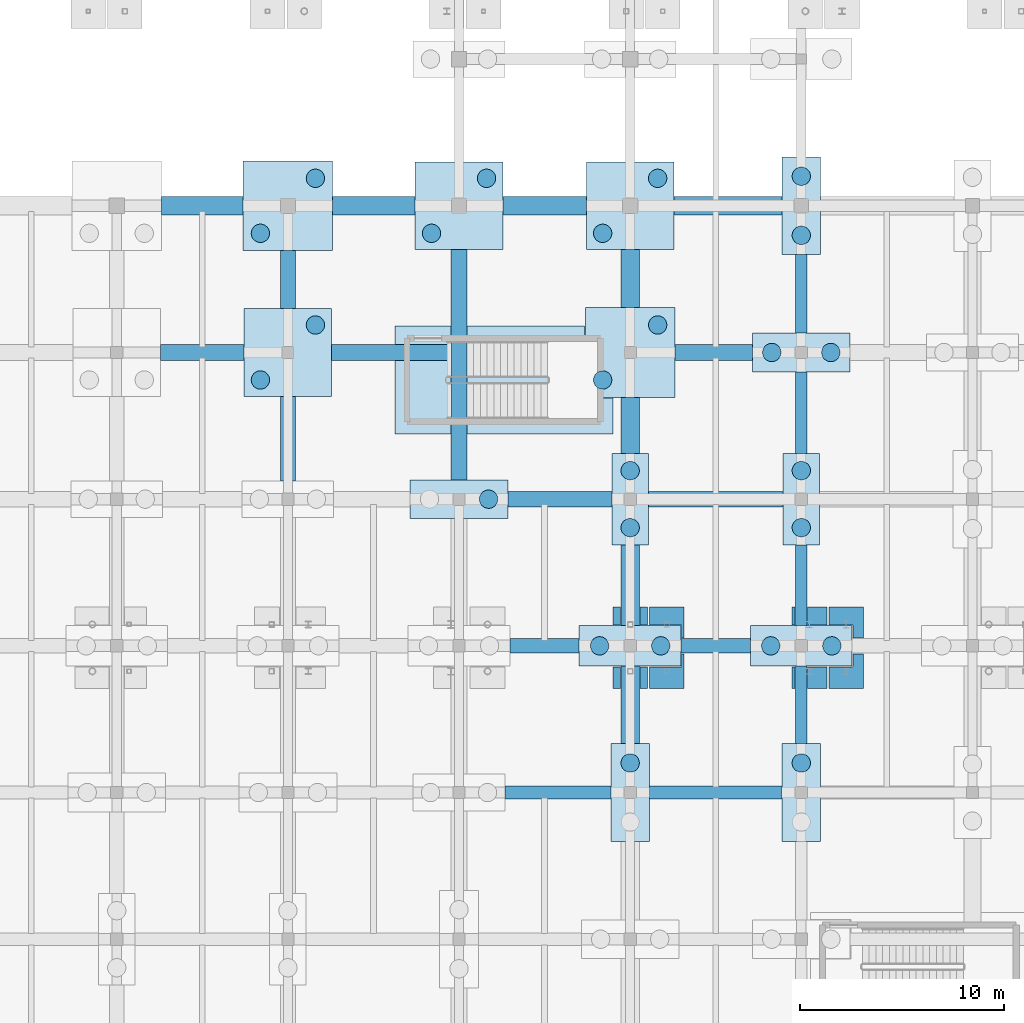
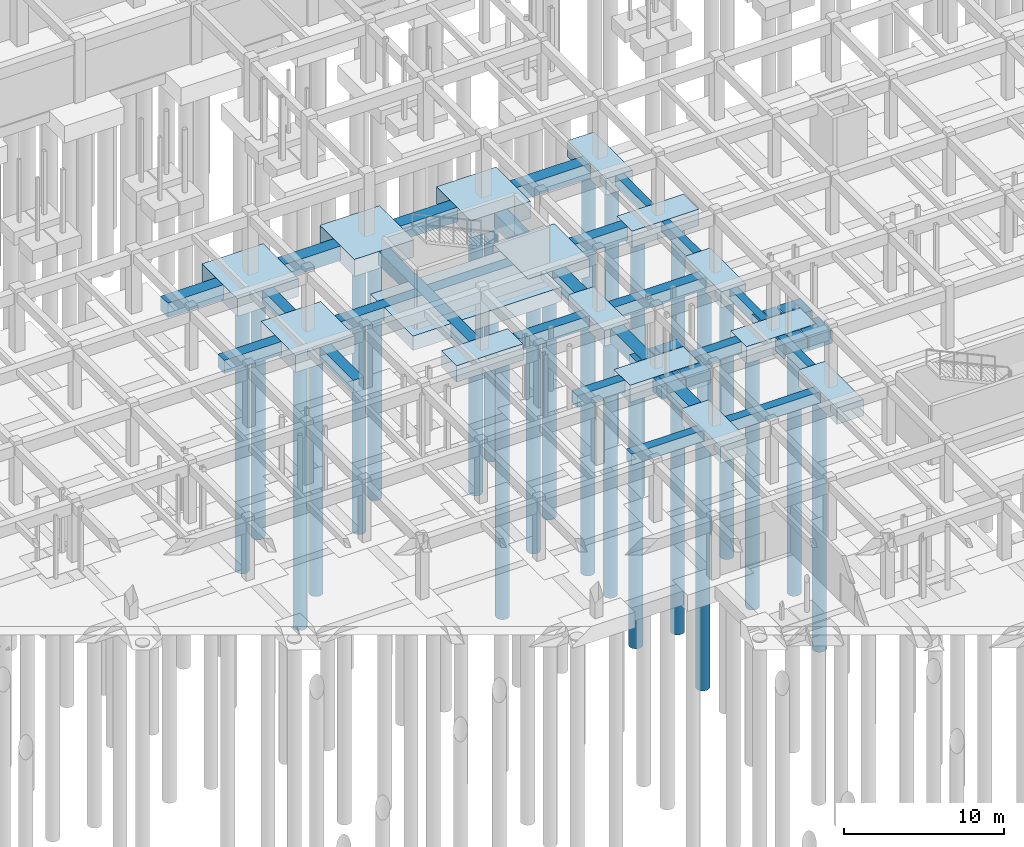
# One storey, part 9 of 80: 51 footings, 25 piles.
"""IFC4 building model written with IfcOpenShell, lengths in metres."""

from ifc_helpers import new_model, si_unit, direction, frame, origin, origin_2d, place, context, subcontext, project, spatial, polyline, rectangle, circle, outline, extrude, material, material_profile, profile_set, type_object, element, save


model = new_model("IFC4")

# Units and contexts
model_context = context("Model", 3, precision=1e-05, world=origin(), true_north=direction((0.0, 1.0)))
body_context = subcontext(model_context, "Body", "Model", "MODEL_VIEW")
ifc_project = project(units=[si_unit("LENGTHUNIT", "METRE"), si_unit("AREAUNIT", "SQUARE_METRE"), si_unit("VOLUMEUNIT", "CUBIC_METRE"), si_unit("PLANEANGLEUNIT", "RADIAN"), si_unit("MASSUNIT", "GRAM", prefix="KILO")], contexts=[model_context])

# Site, building, storey
site_placement = place(None, origin())
site = spatial("IfcSite", under=ifc_project, at=site_placement, CompositionType="ELEMENT")
building_placement = place(site_placement, origin())
building = spatial("IfcBuilding", under=site, at=building_placement, Name="Malvenik Polytechnic", CompositionType="ELEMENT")
storey_placement = place(building_placement, frame((0.0, 0.0, -4.800048828125)))
storey = spatial("IfcBuildingStorey", under=building, at=storey_placement, Name="B1", CompositionType="ELEMENT", Elevation=-4.800048828125)

# Footings
ifc_material = material(Name="Concrete C35/45", Category="concrete")
footing_type_1 = type_object("IfcFootingType", Name="STR-PC-1900x4800x1250", PredefinedType="PILE_CAP", material=ifc_material)
for number, where, z_axis, x_axis, name in (
    (1, (75.60009765625, 79.199951171875, -1.25), (0.0, 0.0, 1.0), (1.0, 0.0, 0.0), "Pile Cap PC-13 #114"),
    (2, (92.39990234375, 86.39990234375, -1.25), (0.0, 0.0, 1.0), (1.0, 0.0, 0.0), "Pile Cap PC-13 #146"),
):
    element("IfcFooting", number, at=place(storey_placement, frame(where, z_axis=z_axis, x_axis=x_axis)), inside=storey, type_object=footing_type_1, Name=name, PredefinedType="PILE_CAP", context=body_context, shape_type="SweptSolid", body=[
        extrude(rectangle(XDim=4.800048828125, YDim=1.89990234375, at=origin_2d()), origin(), (0.0, 0.0, 1.0), 1.25),
    ])
footing_type_2 = type_object("IfcFootingType", Name="STR-PC-2000x5000x1300", PredefinedType="PILE_CAP", material=ifc_material)
for number, where, z_axis, x_axis, name in (
    (3, (84.0, 72.0, -1.2998046875), (0.0, 0.0, 1.0), (1.0, 0.0, 0.0), "Pile Cap PC-03 #128"),
    (4, (92.39990234375, 72.0, -1.2998046875), (0.0, 0.0, 1.0), (1.0, 0.0, 0.0), "Pile Cap PC-03 #144"),
):
    element("IfcFooting", number, at=place(storey_placement, frame(where, z_axis=z_axis, x_axis=x_axis)), inside=storey, type_object=footing_type_2, Name=name, PredefinedType="PILE_CAP", context=body_context, shape_type="SweptSolid", body=[
        extrude(rectangle(XDim=5.0, YDim=2.0, at=origin_2d()), origin(), (0.0, 0.0, 1.0), 1.300048828125),
    ])
footing_type_3 = type_object("IfcFootingType", Name="STR-PC-4500x1800x1200", PredefinedType="PILE_CAP", material=ifc_material)
for number, where, z_axis, x_axis, name in (
    (5, (84.0, 79.199951171875, -1.19970703125), (0.0, 0.0, 1.0), (1.0, 0.0, 0.0), "Pile Cap PC-02 #129"),
    (6, (92.39990234375, 79.199951171875, -1.19970703125), (0.0, 0.0, 1.0), (1.0, 0.0, 0.0), "Pile Cap PC-02 #145"),
):
    element("IfcFooting", number, at=place(storey_placement, frame(where, z_axis=z_axis, x_axis=x_axis)), inside=storey, type_object=footing_type_3, Name=name, PredefinedType="PILE_CAP", context=body_context, shape_type="SweptSolid", body=[
        extrude(rectangle(XDim=1.800048828125, YDim=4.5, at=origin_2d()), origin(), (0.0, 0.0, 1.0), 1.199951171875),
    ])
footing_type_4 = type_object("IfcFootingType", Name="STR-PC-4800x1900x1250", PredefinedType="PILE_CAP", material=ifc_material)
for number, where, z_axis, x_axis, name in (
    (7, (84.0, 64.800048828125, -1.25), (0.0, 0.0, 1.0), (1.0, 0.0, 0.0), "Pile Cap PC-14 #127"),
    (8, (92.39990234375, 64.800048828125, -1.25), (0.0, 0.0, 1.0), (1.0, 0.0, 0.0), "Pile Cap PC-14 #143"),
    (9, (92.39990234375, 93.60009765625, -1.25), (0.0, 0.0, 1.0), (1.0, 0.0, 0.0), "Pile Cap PC-14 #147"),
):
    element("IfcFooting", number, at=place(storey_placement, frame(where, z_axis=z_axis, x_axis=x_axis)), inside=storey, type_object=footing_type_4, Name=name, PredefinedType="PILE_CAP", context=body_context, shape_type="SweptSolid", body=[
        extrude(rectangle(XDim=1.89990234375, YDim=4.800048828125, at=origin_2d()), origin(), (0.0, 0.0, 1.0), 1.25),
    ])
footing_type_5 = type_object("IfcFootingType", Name="STR-PC-COMB-27", PredefinedType="PILE_CAP", material=ifc_material)
footing_1_placement = place(storey_placement, frame((67.199951171875, 86.39990234375, -1.2998046875), z_axis=(0.0, 0.0, 1.0), x_axis=(1.0, 0.0, 0.0)))
element("IfcFooting", 10, at=footing_1_placement, inside=storey, type_object=footing_type_5, Name="Pile Cap PCC-27 #101", PredefinedType="PILE_CAP", context=body_context, shape_type="SweptSolid", body=[
    extrude(rectangle(XDim=4.300048828125, YDim=4.300048828125, at=origin_2d()), origin(), (0.0, 0.0, 1.0), 1.300048828125),
])
footing_type_6 = type_object("IfcFootingType", Name="STR-PC-COMB-28", PredefinedType="PILE_CAP", material=ifc_material)
footing_2_placement = place(storey_placement, frame((67.199951171875, 93.60009765625, -1.35009765625), z_axis=(0.0, 0.0, 1.0), x_axis=(1.0, 0.0, 0.0)))
element("IfcFooting", 11, at=footing_2_placement, inside=storey, type_object=footing_type_6, Name="Pile Cap PCC-28 #102", PredefinedType="PILE_CAP", context=body_context, shape_type="SweptSolid", body=[
    extrude(rectangle(XDim=4.39990234375, YDim=4.39990234375, at=origin_2d()), origin(), (0.0, 0.0, 1.0), 1.35009765625),
])
footing_type_7 = type_object("IfcFootingType", Name="STR-PC-COMB-30", PredefinedType="PILE_CAP", material=ifc_material)
footing_3_placement = place(storey_placement, frame((75.60009765625, 93.60009765625, -1.2998046875), z_axis=(0.0, 0.0, 1.0), x_axis=(1.0, 0.0, 0.0)))
element("IfcFooting", 12, at=footing_3_placement, inside=storey, type_object=footing_type_7, Name="Pile Cap PCC-30 #115", PredefinedType="PILE_CAP", context=body_context, shape_type="SweptSolid", body=[
    extrude(rectangle(XDim=4.300048828125, YDim=4.300048828125, at=origin_2d()), origin(), (0.0, 0.0, 1.0), 1.300048828125),
])
footing_type_8 = type_object("IfcFootingType", Name="STR-PC-COMB-32", PredefinedType="PILE_CAP", material=ifc_material)
footing_4_placement = place(storey_placement, frame((84.0, 86.39990234375, -1.35009765625), z_axis=(0.0, 0.0, 1.0), x_axis=(1.0, 0.0, 0.0)))
element("IfcFooting", 13, at=footing_4_placement, inside=storey, type_object=footing_type_8, Name="Pile Cap PCC-32 #130", PredefinedType="PILE_CAP", context=body_context, shape_type="SweptSolid", body=[
    extrude(rectangle(XDim=4.39990234375, YDim=4.39990234375, at=origin_2d()), origin(), (0.0, 0.0, 1.0), 1.35009765625),
])
footing_type_9 = type_object("IfcFootingType", Name="STR-PC-COMB-33", PredefinedType="PILE_CAP", material=ifc_material)
footing_5_placement = place(storey_placement, frame((84.0, 93.60009765625, -1.2998046875), z_axis=(0.0, 0.0, 1.0), x_axis=(1.0, 0.0, 0.0)))
element("IfcFooting", 14, at=footing_5_placement, inside=storey, type_object=footing_type_9, Name="Pile Cap PCC-33 #131", PredefinedType="PILE_CAP", context=body_context, shape_type="SweptSolid", body=[
    extrude(rectangle(XDim=4.300048828125, YDim=4.300048828125, at=origin_2d()), origin(), (0.0, 0.0, 1.0), 1.300048828125),
])

# Piles
ifc_material_profile_1 = material_profile(ifc_material, circle(Radius=0.449951171875, at=origin_2d()), Name="BORED PILE D900")
ifc_profile_set_1 = profile_set([ifc_material_profile_1], Name="Concrete C35/45")
pile_type_1 = type_object("IfcPileType", Name="STR-PL-D900-195", PredefinedType="BORED", material=ifc_profile_set_1)
for number, where, z_axis, x_axis, name in (
    (15, (82.5, 72.0, -1.199951171875), (0.0, 0.0, -1.0), (1.0, 0.0, 0.0), "Bored Pile PL-01 #295"),
    (16, (85.5, 72.0, -1.199951171875), (0.0, 0.0, -1.0), (1.0, 0.0, 0.0), "Bored Pile PL-01 #296"),
    (17, (90.89990234375, 72.0, -1.199951171875), (0.0, 0.0, -1.0), (1.0, 0.0, 0.0), "Bored Pile PL-01 #327"),
    (18, (93.89990234375, 72.0, -1.199951171875), (0.0, 0.0, -1.0), (1.0, 0.0, 0.0), "Bored Pile PL-01 #328"),
):
    element("IfcPile", number, at=place(storey_placement, frame(where, z_axis=z_axis, x_axis=x_axis)), inside=storey, type_object=pile_type_1, Name=name, PredefinedType="BORED", context=body_context, shape_type="SweptSolid", body=[
        extrude(circle(Radius=0.449951171875, at=origin_2d()), origin(), (0.0, 0.0, 1.0), 19.5),
    ])
ifc_material_profile_2 = material_profile(ifc_material, circle(Radius=0.449951171875, at=origin_2d()), Name="BORED PILE D900")
ifc_profile_set_2 = profile_set([ifc_material_profile_2], Name="Concrete C35/45")
pile_type_2 = type_object("IfcPileType", Name="STR-PL-D900-198", PredefinedType="BORED", material=ifc_profile_set_2)
for number, where, z_axis, x_axis, name in (
    (19, (77.050048828125, 79.199951171875, -1.14990234375), (0.0, 0.0, -1.0), (1.0, 0.0, 0.0), "Bored Pile PL-02 #264"),
    (20, (84.0, 66.25, -1.14990234375), (0.0, 0.0, -1.0), (1.0, 0.0, 0.0), "Bored Pile PL-02 #294"),
    (21, (84.0, 77.800048828125, -1.099853515625), (0.0, 0.0, -1.0), (1.0, 0.0, 0.0), "Bored Pile PL-02 #297"),
    (22, (84.0, 80.60009765625, -1.099853515625), (0.0, 0.0, -1.0), (1.0, 0.0, 0.0), "Bored Pile PL-02 #298"),
    (23, (92.39990234375, 66.25, -1.14990234375), (0.0, 0.0, -1.0), (1.0, 0.0, 0.0), "Bored Pile PL-02 #326"),
    (24, (92.39990234375, 77.800048828125, -1.099853515625), (0.0, 0.0, -1.0), (1.0, 0.0, 0.0), "Bored Pile PL-02 #329"),
    (25, (92.39990234375, 80.60009765625, -1.099853515625), (0.0, 0.0, -1.0), (1.0, 0.0, 0.0), "Bored Pile PL-02 #330"),
    (26, (90.949951171875, 86.39990234375, -1.14990234375), (0.0, 0.0, -1.0), (1.0, 0.0, 0.0), "Bored Pile PL-02 #331"),
    (27, (93.85009765625, 86.39990234375, -1.14990234375), (0.0, 0.0, -1.0), (1.0, 0.0, 0.0), "Bored Pile PL-02 #332"),
    (28, (92.39990234375, 92.14990234375, -1.14990234375), (0.0, 0.0, -1.0), (1.0, 0.0, 0.0), "Bored Pile PL-02 #333"),
    (29, (92.39990234375, 95.050048828125, -1.14990234375), (0.0, 0.0, -1.0), (1.0, 0.0, 0.0), "Bored Pile PL-02 #334"),
):
    element("IfcPile", number, at=place(storey_placement, frame(where, z_axis=z_axis, x_axis=x_axis)), inside=storey, type_object=pile_type_2, Name=name, PredefinedType="BORED", context=body_context, shape_type="SweptSolid", body=[
        extrude(circle(Radius=0.449951171875, at=origin_2d()), origin(), (0.0, 0.0, 1.0), 19.800048828125),
    ])
ifc_material_profile_3 = material_profile(ifc_material, circle(Radius=0.449951171875, at=origin_2d()), Name="BORED PILE D900")
ifc_profile_set_3 = profile_set([ifc_material_profile_3], Name="Concrete C35/45")
pile_type_3 = type_object("IfcPileType", Name="STR-PL-D900-202", PredefinedType="BORED", material=ifc_profile_set_3)
for number, where, z_axis, x_axis, name in (
    (30, (65.85009765625, 85.050048828125, -1.199951171875), (0.0, 0.0, -1.0), (1.0, 0.0, 0.0), "Bored Pile PL-03 #233"),
    (31, (68.550048828125, 87.75, -1.199951171875), (0.0, 0.0, -1.0), (1.0, 0.0, 0.0), "Bored Pile PL-03 #234"),
    (32, (65.85009765625, 92.25, -1.25), (0.0, 0.0, -1.0), (1.0, 0.0, 0.0), "Bored Pile PL-03 #235"),
    (33, (68.550048828125, 94.949951171875, -1.25), (0.0, 0.0, -1.0), (1.0, 0.0, 0.0), "Bored Pile PL-03 #236"),
    (34, (74.25, 92.25, -1.199951171875), (0.0, 0.0, -1.0), (1.0, 0.0, 0.0), "Bored Pile PL-03 #265"),
    (35, (76.949951171875, 94.949951171875, -1.199951171875), (0.0, 0.0, -1.0), (1.0, 0.0, 0.0), "Bored Pile PL-03 #266"),
    (36, (82.64990234375, 85.050048828125, -1.25), (0.0, 0.0, -1.0), (1.0, 0.0, 0.0), "Bored Pile PL-03 #299"),
    (37, (85.35009765625, 87.75, -1.25), (0.0, 0.0, -1.0), (1.0, 0.0, 0.0), "Bored Pile PL-03 #300"),
    (38, (82.64990234375, 92.25, -1.199951171875), (0.0, 0.0, -1.0), (1.0, 0.0, 0.0), "Bored Pile PL-03 #301"),
    (39, (85.35009765625, 94.949951171875, -1.199951171875), (0.0, 0.0, -1.0), (1.0, 0.0, 0.0), "Bored Pile PL-03 #302"),
):
    element("IfcPile", number, at=place(storey_placement, frame(where, z_axis=z_axis, x_axis=x_axis)), inside=storey, type_object=pile_type_3, Name=name, PredefinedType="BORED", context=body_context, shape_type="SweptSolid", body=[
        extrude(circle(Radius=0.449951171875, at=origin_2d()), origin(), (0.0, 0.0, 1.0), 20.199951171875),
    ])

# Footings
footing_type_10 = type_object("IfcFootingType", Name="STR-SF-550x750", PredefinedType="STRIP_FOOTING", material=ifc_material)
footing_6_placement = place(storey_placement, frame((0.0, 0.0, -0.75)))
element("IfcFooting", 40, at=footing_6_placement, inside=storey, type_object=footing_type_10, Name="Ground Tie Beam SF-07 #259", PredefinedType="STRIP_FOOTING", context=body_context, shape_type="SweptSolid", body=[
    extrude(outline(polyline([(92.125, 67.199951171875), (92.675048828125, 67.199951171875), (92.675048828125, 71.0), (92.125, 71.0), (92.125, 67.199951171875)])), origin(), (0.0, 0.0, 1.0), 0.75),
])
footing_7_placement = place(storey_placement, frame((0.0, 0.0, -0.75)))
element("IfcFooting", 41, at=footing_7_placement, inside=storey, type_object=footing_type_10, Name="Ground Tie Beam SF-07 #260", PredefinedType="STRIP_FOOTING", context=body_context, shape_type="SweptSolid", body=[
    extrude(outline(polyline([(92.125, 73.0), (92.675048828125, 73.0), (92.675048828125, 76.949951171875), (92.125, 76.949951171875), (92.125, 73.0)])), origin(), (0.0, 0.0, 1.0), 0.75),
])
footing_8_placement = place(storey_placement, frame((0.0, 0.0, -0.75)))
element("IfcFooting", 42, at=footing_8_placement, inside=storey, type_object=footing_type_10, Name="Ground Tie Beam SF-07 #261", PredefinedType="STRIP_FOOTING", context=body_context, shape_type="SweptSolid", body=[
    extrude(outline(polyline([(92.125, 81.449951171875), (92.675048828125, 81.449951171875), (92.675048828125, 85.449951171875), (92.125, 85.449951171875), (92.125, 81.449951171875)])), origin(), (0.0, 0.0, 1.0), 0.75),
])
footing_9_placement = place(storey_placement, frame((0.0, 0.0, -0.75)))
element("IfcFooting", 43, at=footing_9_placement, inside=storey, type_object=footing_type_10, Name="Ground Tie Beam SF-07 #262", PredefinedType="STRIP_FOOTING", context=body_context, shape_type="SweptSolid", body=[
    extrude(outline(polyline([(92.125, 87.35009765625), (92.675048828125, 87.35009765625), (92.675048828125, 91.199951171875), (92.125, 91.199951171875), (92.125, 87.35009765625)])), origin(), (0.0, 0.0, 1.0), 0.75),
])
footing_type_11 = type_object("IfcFootingType", Name="STR-SF-650x850", PredefinedType="STRIP_FOOTING", material=ifc_material)
footing_10_placement = place(storey_placement, frame((0.0, 0.0, -0.849853515625)))
element("IfcFooting", 44, at=footing_10_placement, inside=storey, type_object=footing_type_11, Name="Ground Tie Beam SF-02 #75", PredefinedType="STRIP_FOOTING", context=body_context, shape_type="SweptSolid", body=[
    extrude(outline(polyline([(77.85009765625, 64.47509765625), (83.050048828125, 64.47509765625), (83.050048828125, 65.125), (77.85009765625, 65.125), (77.85009765625, 64.47509765625)])), origin(), (0.0, 0.0, 1.0), 0.849853515625),
])
footing_11_placement = place(storey_placement, frame((0.0, 0.0, -0.849853515625)))
element("IfcFooting", 45, at=footing_11_placement, inside=storey, type_object=footing_type_11, Name="Ground Tie Beam SF-02 #76", PredefinedType="STRIP_FOOTING", context=body_context, shape_type="SweptSolid", body=[
    extrude(outline(polyline([(84.949951171875, 64.47509765625), (91.449951171875, 64.47509765625), (91.449951171875, 65.125), (84.949951171875, 65.125), (84.949951171875, 64.47509765625)])), origin(), (0.0, 0.0, 1.0), 0.849853515625),
])
footing_type_12 = type_object("IfcFootingType", Name="STR-SF-700x900", PredefinedType="STRIP_FOOTING", material=ifc_material)
footing_12_placement = place(storey_placement, frame((0.0, 0.0, -0.89990234375)))
element("IfcFooting", 46, at=footing_12_placement, inside=storey, type_object=footing_type_12, Name="Ground Tie Beam SF-03 #87", PredefinedType="STRIP_FOOTING", context=body_context, shape_type="SweptSolid", body=[
    extrude(outline(polyline([(78.10009765625, 71.64990234375), (81.5, 71.64990234375), (81.5, 72.35009765625), (78.10009765625, 72.35009765625), (78.10009765625, 71.64990234375)])), origin(), (0.0, 0.0, 1.0), 0.89990234375),
])
footing_13_placement = place(storey_placement, frame((0.0, 0.0, -0.89990234375)))
element("IfcFooting", 47, at=footing_13_placement, inside=storey, type_object=footing_type_12, Name="Ground Tie Beam SF-03 #88", PredefinedType="STRIP_FOOTING", context=body_context, shape_type="SweptSolid", body=[
    extrude(outline(polyline([(86.5, 71.64990234375), (89.89990234375, 71.64990234375), (89.89990234375, 72.35009765625), (86.5, 72.35009765625), (86.5, 71.64990234375)])), origin(), (0.0, 0.0, 1.0), 0.89990234375),
])
footing_type_13 = type_object("IfcFootingType", Name="STR-SF-750x950", PredefinedType="STRIP_FOOTING", material=ifc_material)
footing_14_placement = place(storey_placement, frame((0.0, 0.0, -0.949951171875)))
element("IfcFooting", 48, at=footing_14_placement, inside=storey, type_object=footing_type_13, Name="Ground Tie Beam SF-04 #99", PredefinedType="STRIP_FOOTING", context=body_context, shape_type="SweptSolid", body=[
    extrude(outline(polyline([(78.0, 78.824951171875), (83.10009765625, 78.824951171875), (83.10009765625, 79.574951171875), (78.0, 79.574951171875), (78.0, 78.824951171875)])), origin(), (0.0, 0.0, 1.0), 0.949951171875),
])
footing_15_placement = place(storey_placement, frame((0.0, 0.0, -0.949951171875)))
element("IfcFooting", 49, at=footing_15_placement, inside=storey, type_object=footing_type_13, Name="Ground Tie Beam SF-04 #100", PredefinedType="STRIP_FOOTING", context=body_context, shape_type="SweptSolid", body=[
    extrude(outline(polyline([(84.89990234375, 78.824951171875), (91.5, 78.824951171875), (91.5, 79.574951171875), (84.89990234375, 79.574951171875), (84.89990234375, 78.824951171875)])), origin(), (0.0, 0.0, 1.0), 0.949951171875),
])
footing_16_placement = place(storey_placement, frame((0.0, 0.0, -0.949951171875)))
element("IfcFooting", 50, at=footing_16_placement, inside=storey, type_object=footing_type_13, Name="Ground Tie Beam SF-04 #226", PredefinedType="STRIP_FOOTING", context=body_context, shape_type="SweptSolid", body=[
    extrude(outline(polyline([(66.824951171875, 80.10009765625), (67.574951171875, 80.10009765625), (67.574951171875, 84.25), (66.824951171875, 84.25), (66.824951171875, 80.10009765625)])), origin(), (0.0, 0.0, 1.0), 0.949951171875),
])
footing_17_placement = place(storey_placement, frame((0.0, 0.0, -0.949951171875)))
element("IfcFooting", 51, at=footing_17_placement, inside=storey, type_object=footing_type_13, Name="Ground Tie Beam SF-04 #227", PredefinedType="STRIP_FOOTING", context=body_context, shape_type="SweptSolid", body=[
    extrude(outline(polyline([(66.824951171875, 88.550048828125), (67.574951171875, 88.550048828125), (67.574951171875, 91.39990234375), (66.824951171875, 91.39990234375), (66.824951171875, 88.550048828125)])), origin(), (0.0, 0.0, 1.0), 0.949951171875),
])
footing_type_14 = type_object("IfcFootingType", Name="STR-SF-800x1000", PredefinedType="STRIP_FOOTING", material=ifc_material)
footing_18_placement = place(storey_placement, frame((0.0, 0.0, -1.0)))
element("IfcFooting", 52, at=footing_18_placement, inside=storey, type_object=footing_type_14, Name="Ground Tie Beam SF-05 #109", PredefinedType="STRIP_FOOTING", context=body_context, shape_type="SweptSolid", body=[
    extrude(outline(polyline([(60.949951171875, 86.0), (65.050048828125, 86.0), (65.050048828125, 86.800048828125), (60.949951171875, 86.800048828125), (60.949951171875, 86.0)])), origin(), (0.0, 0.0, 1.0), 1.0),
])
footing_19_placement = place(storey_placement, frame((0.0, 0.0, -1.0)))
element("IfcFooting", 53, at=footing_19_placement, inside=storey, type_object=footing_type_14, Name="Ground Tie Beam SF-05 #110", PredefinedType="STRIP_FOOTING", context=body_context, shape_type="SweptSolid", body=[
    extrude(outline(polyline([(69.35009765625, 86.0), (81.800048828125, 86.0), (81.800048828125, 86.800048828125), (69.35009765625, 86.800048828125), (69.35009765625, 86.0)])), origin(), (0.0, 0.0, 1.0), 1.0),
])
footing_20_placement = place(storey_placement, frame((0.0, 0.0, -1.0)))
element("IfcFooting", 54, at=footing_20_placement, inside=storey, type_object=footing_type_14, Name="Ground Tie Beam SF-05 #111", PredefinedType="STRIP_FOOTING", context=body_context, shape_type="SweptSolid", body=[
    extrude(outline(polyline([(86.199951171875, 86.0), (90.0, 86.0), (90.0, 86.800048828125), (86.199951171875, 86.800048828125), (86.199951171875, 86.0)])), origin(), (0.0, 0.0, 1.0), 1.0),
])
footing_21_placement = place(storey_placement, frame((0.0, 0.0, -1.0)))
element("IfcFooting", 55, at=footing_21_placement, inside=storey, type_object=footing_type_14, Name="Ground Tie Beam SF-05 #238", PredefinedType="STRIP_FOOTING", context=body_context, shape_type="SweptSolid", body=[
    extrude(outline(polyline([(75.199951171875, 80.14990234375), (76.0, 80.14990234375), (76.0, 91.449951171875), (75.199951171875, 91.449951171875), (75.199951171875, 80.14990234375)])), origin(), (0.0, 0.0, 1.0), 1.0),
])
footing_22_placement = place(storey_placement, frame((0.0, 0.0, -1.0)))
element("IfcFooting", 56, at=footing_22_placement, inside=storey, type_object=footing_type_14, Name="Bridge-Ramp Pier Footing #63.1", PredefinedType="STRIP_FOOTING", context=body_context, shape_type="SweptSolid", body=[
    extrude(outline(polyline([(95.449951171875, 71.60009765625), (95.449951171875, 69.89990234375), (93.75, 69.89990234375), (93.75, 70.969970703125), (94.89990234375, 70.969970703125), (94.90283203125, 70.97021484375), (94.906005859375, 70.970703125), (94.90869140625, 70.97119140625), (94.91162109375, 70.972412109375), (94.9140625, 70.973388671875), (94.916748046875, 70.97509765625), (94.9189453125, 70.976806640625), (94.921142578125, 70.978759765625), (94.923095703125, 70.98095703125), (94.9248046875, 70.9833984375), (94.926513671875, 70.98583984375), (94.927734375, 70.988525390625), (94.9287109375, 70.9912109375), (94.929443359375, 70.994140625), (94.929931640625, 70.9970703125), (94.929931640625, 71.0), (94.929931640625, 71.60009765625), (95.449951171875, 71.60009765625)])), origin(), (0.0, 0.0, 1.0), 1.0),
])
footing_23_placement = place(storey_placement, frame((0.0, 0.0, -1.0)))
element("IfcFooting", 57, at=footing_23_placement, inside=storey, type_object=footing_type_14, Name="Bridge-Ramp Pier Footing #64.1", PredefinedType="STRIP_FOOTING", context=body_context, shape_type="SweptSolid", body=[
    extrude(outline(polyline([(93.75, 73.89990234375), (95.449951171875, 73.89990234375), (95.449951171875, 72.3798828125), (94.929931640625, 72.3798828125), (94.929931640625, 73.0), (94.929931640625, 73.0029296875), (94.929443359375, 73.005859375), (94.9287109375, 73.0087890625), (94.927734375, 73.011474609375), (94.926513671875, 73.01416015625), (94.9248046875, 73.0166015625), (94.923095703125, 73.01904296875), (94.921142578125, 73.021240234375), (94.9189453125, 73.023193359375), (94.916748046875, 73.02490234375), (94.9140625, 73.026611328125), (94.91162109375, 73.027587890625), (94.90869140625, 73.02880859375), (94.906005859375, 73.029296875), (94.90283203125, 73.02978515625), (94.89990234375, 73.030029296875), (93.75, 73.030029296875), (93.75, 73.89990234375)])), origin(), (0.0, 0.0, 1.0), 1.0),
])
footing_24_placement = place(storey_placement, frame((0.0, 0.0, -1.0)))
element("IfcFooting", 58, at=footing_24_placement, inside=storey, type_object=footing_type_14, Name="Bridge-Ramp Pier Footing #65.1", PredefinedType="STRIP_FOOTING", context=body_context, shape_type="SweptSolid", body=[
    extrude(outline(polyline([(93.64990234375, 69.89990234375), (92.705078125, 69.89990234375), (92.705078125, 70.969970703125), (93.64990234375, 70.969970703125), (93.64990234375, 69.89990234375)])), origin(), (0.0, 0.0, 1.0), 1.0),
])
footing_25_placement = place(storey_placement, frame((0.0, 0.0, -1.0)))
element("IfcFooting", 59, at=footing_25_placement, inside=storey, type_object=footing_type_14, Name="Bridge-Ramp Pier Footing #65.2", PredefinedType="STRIP_FOOTING", context=body_context, shape_type="SweptSolid", body=[
    extrude(outline(polyline([(91.949951171875, 69.89990234375), (91.949951171875, 70.969970703125), (92.094970703125, 70.969970703125), (92.094970703125, 69.89990234375), (91.949951171875, 69.89990234375)])), origin(), (0.0, 0.0, 1.0), 1.0),
])
footing_26_placement = place(storey_placement, frame((0.0, 0.0, -1.0)))
element("IfcFooting", 60, at=footing_26_placement, inside=storey, type_object=footing_type_14, Name="Bridge-Ramp Pier Footing #66.1", PredefinedType="STRIP_FOOTING", context=body_context, shape_type="SweptSolid", body=[
    extrude(outline(polyline([(93.64990234375, 73.89990234375), (93.64990234375, 73.030029296875), (92.705078125, 73.030029296875), (92.705078125, 73.89990234375), (93.64990234375, 73.89990234375)])), origin(), (0.0, 0.0, 1.0), 1.0),
])
footing_27_placement = place(storey_placement, frame((0.0, 0.0, -1.0)))
element("IfcFooting", 61, at=footing_27_placement, inside=storey, type_object=footing_type_14, Name="Bridge-Ramp Pier Footing #66.2", PredefinedType="STRIP_FOOTING", context=body_context, shape_type="SweptSolid", body=[
    extrude(outline(polyline([(91.949951171875, 73.89990234375), (92.094970703125, 73.89990234375), (92.094970703125, 73.030029296875), (91.949951171875, 73.030029296875), (91.949951171875, 73.89990234375)])), origin(), (0.0, 0.0, 1.0), 1.0),
])
footing_28_placement = place(storey_placement, frame((0.0, 0.0, -1.0)))
element("IfcFooting", 62, at=footing_28_placement, inside=storey, type_object=footing_type_14, Name="Bridge-Ramp Pier Footing #67.1", PredefinedType="STRIP_FOOTING", context=body_context, shape_type="SweptSolid", body=[
    extrude(outline(polyline([(86.64990234375, 71.60009765625), (86.64990234375, 69.89990234375), (84.949951171875, 69.89990234375), (84.949951171875, 70.969970703125), (86.5, 70.969970703125), (86.5029296875, 70.97021484375), (86.505859375, 70.970703125), (86.5087890625, 70.97119140625), (86.511474609375, 70.972412109375), (86.51416015625, 70.973388671875), (86.5166015625, 70.97509765625), (86.51904296875, 70.976806640625), (86.521240234375, 70.978759765625), (86.523193359375, 70.98095703125), (86.52490234375, 70.9833984375), (86.526611328125, 70.98583984375), (86.527587890625, 70.988525390625), (86.52880859375, 70.9912109375), (86.529296875, 70.994140625), (86.52978515625, 70.9970703125), (86.530029296875, 71.0), (86.530029296875, 71.60009765625), (86.64990234375, 71.60009765625)])), origin(), (0.0, 0.0, 1.0), 1.0),
])
footing_29_placement = place(storey_placement, frame((0.0, 0.0, -1.0)))
element("IfcFooting", 63, at=footing_29_placement, inside=storey, type_object=footing_type_14, Name="Bridge-Ramp Pier Footing #68.1", PredefinedType="STRIP_FOOTING", context=body_context, shape_type="SweptSolid", body=[
    extrude(outline(polyline([(84.949951171875, 73.89990234375), (86.64990234375, 73.89990234375), (86.64990234375, 72.3798828125), (86.530029296875, 72.3798828125), (86.530029296875, 73.0), (86.52978515625, 73.0029296875), (86.529296875, 73.005859375), (86.52880859375, 73.0087890625), (86.527587890625, 73.011474609375), (86.526611328125, 73.01416015625), (86.52490234375, 73.0166015625), (86.523193359375, 73.01904296875), (86.521240234375, 73.021240234375), (86.51904296875, 73.023193359375), (86.5166015625, 73.02490234375), (86.51416015625, 73.026611328125), (86.511474609375, 73.027587890625), (86.5087890625, 73.02880859375), (86.505859375, 73.029296875), (86.5029296875, 73.02978515625), (86.5, 73.030029296875), (84.949951171875, 73.030029296875), (84.949951171875, 73.89990234375)])), origin(), (0.0, 0.0, 1.0), 1.0),
])
footing_30_placement = place(storey_placement, frame((0.0, 0.0, -1.0)))
element("IfcFooting", 64, at=footing_30_placement, inside=storey, type_object=footing_type_14, Name="Bridge-Ramp Pier Footing #69.1", PredefinedType="STRIP_FOOTING", context=body_context, shape_type="SweptSolid", body=[
    extrude(outline(polyline([(84.85009765625, 69.89990234375), (84.47998046875, 69.89990234375), (84.47998046875, 70.969970703125), (84.85009765625, 70.969970703125), (84.85009765625, 69.89990234375)])), origin(), (0.0, 0.0, 1.0), 1.0),
])
footing_31_placement = place(storey_placement, frame((0.0, 0.0, -1.0)))
element("IfcFooting", 65, at=footing_31_placement, inside=storey, type_object=footing_type_14, Name="Bridge-Ramp Pier Footing #69.2", PredefinedType="STRIP_FOOTING", context=body_context, shape_type="SweptSolid", body=[
    extrude(outline(polyline([(83.14990234375, 69.89990234375), (83.14990234375, 70.969970703125), (83.52001953125, 70.969970703125), (83.52001953125, 69.89990234375), (83.14990234375, 69.89990234375)])), origin(), (0.0, 0.0, 1.0), 1.0),
])
footing_32_placement = place(storey_placement, frame((0.0, 0.0, -1.0)))
element("IfcFooting", 66, at=footing_32_placement, inside=storey, type_object=footing_type_14, Name="Bridge-Ramp Pier Footing #70.1", PredefinedType="STRIP_FOOTING", context=body_context, shape_type="SweptSolid", body=[
    extrude(outline(polyline([(84.85009765625, 73.89990234375), (84.85009765625, 73.030029296875), (84.47998046875, 73.030029296875), (84.47998046875, 73.89990234375), (84.85009765625, 73.89990234375)])), origin(), (0.0, 0.0, 1.0), 1.0),
])
footing_33_placement = place(storey_placement, frame((0.0, 0.0, -1.0)))
element("IfcFooting", 67, at=footing_33_placement, inside=storey, type_object=footing_type_14, Name="Bridge-Ramp Pier Footing #70.2", PredefinedType="STRIP_FOOTING", context=body_context, shape_type="SweptSolid", body=[
    extrude(outline(polyline([(83.14990234375, 73.89990234375), (83.52001953125, 73.89990234375), (83.52001953125, 73.030029296875), (83.14990234375, 73.030029296875), (83.14990234375, 73.89990234375)])), origin(), (0.0, 0.0, 1.0), 1.0),
])
footing_type_15 = type_object("IfcFootingType", Name="STR-SF-900x1100", PredefinedType="STRIP_FOOTING", material=ifc_material)
footing_34_placement = place(storey_placement, frame((0.0, 0.0, -1.099853515625)))
element("IfcFooting", 68, at=footing_34_placement, inside=storey, type_object=footing_type_15, Name="Ground Tie Beam SF-06 #120", PredefinedType="STRIP_FOOTING", context=body_context, shape_type="SweptSolid", body=[
    extrude(outline(polyline([(61.0, 93.14990234375), (65.0, 93.14990234375), (65.0, 94.050048828125), (61.0, 94.050048828125), (61.0, 93.14990234375)])), origin(), (0.0, 0.0, 1.0), 1.099853515625),
])
footing_35_placement = place(storey_placement, frame((0.0, 0.0, -1.099853515625)))
element("IfcFooting", 69, at=footing_35_placement, inside=storey, type_object=footing_type_15, Name="Ground Tie Beam SF-06 #121", PredefinedType="STRIP_FOOTING", context=body_context, shape_type="SweptSolid", body=[
    extrude(outline(polyline([(69.39990234375, 93.14990234375), (73.449951171875, 93.14990234375), (73.449951171875, 94.050048828125), (69.39990234375, 94.050048828125), (69.39990234375, 93.14990234375)])), origin(), (0.0, 0.0, 1.0), 1.099853515625),
])
footing_36_placement = place(storey_placement, frame((0.0, 0.0, -1.099853515625)))
element("IfcFooting", 70, at=footing_36_placement, inside=storey, type_object=footing_type_15, Name="Ground Tie Beam SF-06 #122", PredefinedType="STRIP_FOOTING", context=body_context, shape_type="SweptSolid", body=[
    extrude(outline(polyline([(77.75, 93.14990234375), (81.85009765625, 93.14990234375), (81.85009765625, 94.050048828125), (77.75, 94.050048828125), (77.75, 93.14990234375)])), origin(), (0.0, 0.0, 1.0), 1.099853515625),
])
footing_37_placement = place(storey_placement, frame((0.0, 0.0, -1.099853515625)))
element("IfcFooting", 71, at=footing_37_placement, inside=storey, type_object=footing_type_15, Name="Ground Tie Beam SF-06 #123", PredefinedType="STRIP_FOOTING", context=body_context, shape_type="SweptSolid", body=[
    extrude(outline(polyline([(86.14990234375, 93.14990234375), (91.449951171875, 93.14990234375), (91.449951171875, 94.050048828125), (86.14990234375, 94.050048828125), (86.14990234375, 93.14990234375)])), origin(), (0.0, 0.0, 1.0), 1.099853515625),
])
footing_38_placement = place(storey_placement, frame((0.0, 0.0, -1.099853515625)))
element("IfcFooting", 72, at=footing_38_placement, inside=storey, type_object=footing_type_15, Name="Ground Tie Beam SF-06 #247", PredefinedType="STRIP_FOOTING", context=body_context, shape_type="SweptSolid", body=[
    extrude(outline(polyline([(83.550048828125, 67.199951171875), (84.449951171875, 67.199951171875), (84.449951171875, 71.0), (83.550048828125, 71.0), (83.550048828125, 67.199951171875)])), origin(), (0.0, 0.0, 1.0), 1.099853515625),
])
footing_39_placement = place(storey_placement, frame((0.0, 0.0, -1.099853515625)))
element("IfcFooting", 73, at=footing_39_placement, inside=storey, type_object=footing_type_15, Name="Ground Tie Beam SF-06 #248", PredefinedType="STRIP_FOOTING", context=body_context, shape_type="SweptSolid", body=[
    extrude(outline(polyline([(83.550048828125, 73.0), (84.449951171875, 73.0), (84.449951171875, 76.949951171875), (83.550048828125, 76.949951171875), (83.550048828125, 73.0)])), origin(), (0.0, 0.0, 1.0), 1.099853515625),
])
footing_40_placement = place(storey_placement, frame((0.0, 0.0, -1.099853515625)))
element("IfcFooting", 74, at=footing_40_placement, inside=storey, type_object=footing_type_15, Name="Ground Tie Beam SF-06 #249", PredefinedType="STRIP_FOOTING", context=body_context, shape_type="SweptSolid", body=[
    extrude(outline(polyline([(83.550048828125, 81.449951171875), (84.449951171875, 81.449951171875), (84.449951171875, 84.199951171875), (83.550048828125, 84.199951171875), (83.550048828125, 81.449951171875)])), origin(), (0.0, 0.0, 1.0), 1.099853515625),
])
footing_41_placement = place(storey_placement, frame((0.0, 0.0, -1.099853515625)))
element("IfcFooting", 75, at=footing_41_placement, inside=storey, type_object=footing_type_15, Name="Ground Tie Beam SF-06 #250", PredefinedType="STRIP_FOOTING", context=body_context, shape_type="SweptSolid", body=[
    extrude(outline(polyline([(83.550048828125, 88.60009765625), (84.449951171875, 88.60009765625), (84.449951171875, 91.449951171875), (83.550048828125, 91.449951171875), (83.550048828125, 88.60009765625)])), origin(), (0.0, 0.0, 1.0), 1.099853515625),
])
footing_42_placement = place(storey_placement, frame((0.0, 0.0, -1.099853515625)))
element("IfcFooting", 76, at=footing_42_placement, inside=storey, type_object=footing_type_15, Name="Core Wall Strip Footing #326", PredefinedType="STRIP_FOOTING", context=body_context, shape_type="SweptSolid", body=[
    extrude(outline(polyline([(83.14990234375, 82.39990234375), (72.449951171875, 82.39990234375), (72.449951171875, 87.699951171875), (81.77001953125, 87.699951171875), (81.77001953125, 84.199951171875), (81.77001953125, 84.197021484375), (81.7705078125, 84.194091796875), (81.771240234375, 84.19140625), (81.772216796875, 84.1884765625), (81.7734375, 84.185791015625), (81.775146484375, 84.183349609375), (81.77685546875, 84.180908203125), (81.77880859375, 84.1787109375), (81.781005859375, 84.1767578125), (81.783203125, 84.175048828125), (81.785888671875, 84.173583984375), (81.78857421875, 84.17236328125), (81.791259765625, 84.17138671875), (81.794189453125, 84.170654296875), (81.797119140625, 84.170166015625), (81.800048828125, 84.169921875), (83.14990234375, 84.169921875), (83.14990234375, 82.39990234375)])), origin(), (0.0, 0.0, 1.0), 1.099853515625),
])

save(model, "model.ifc")
